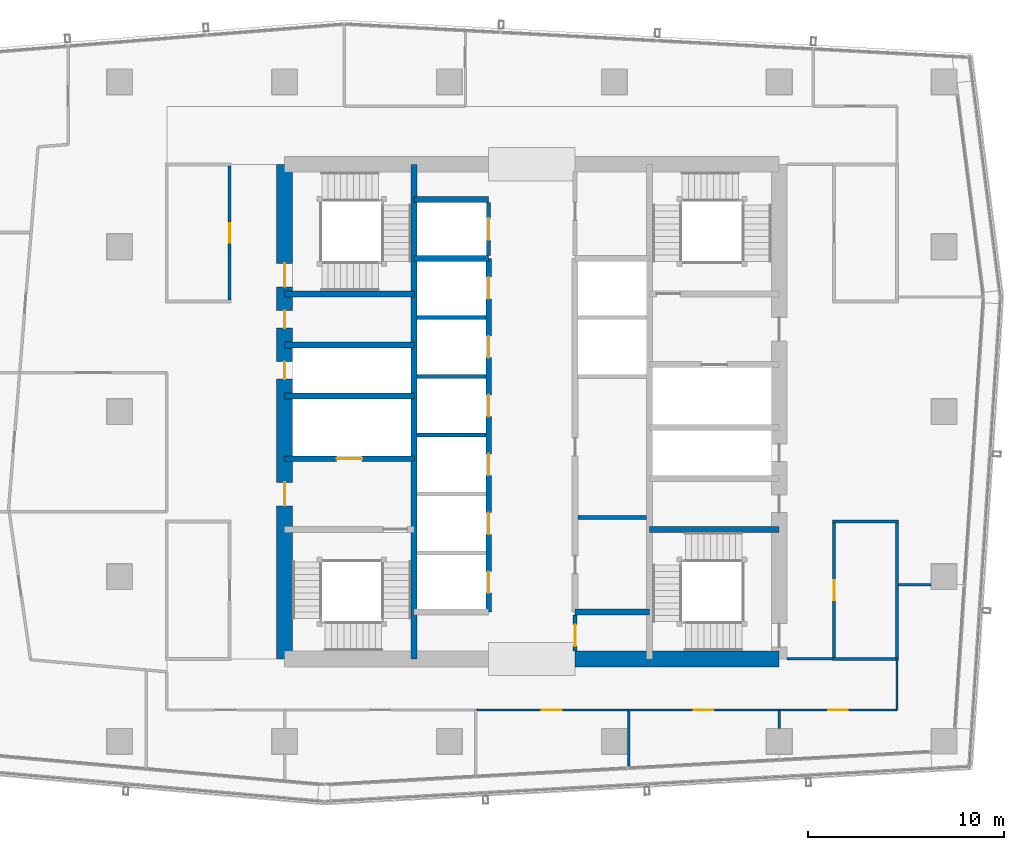
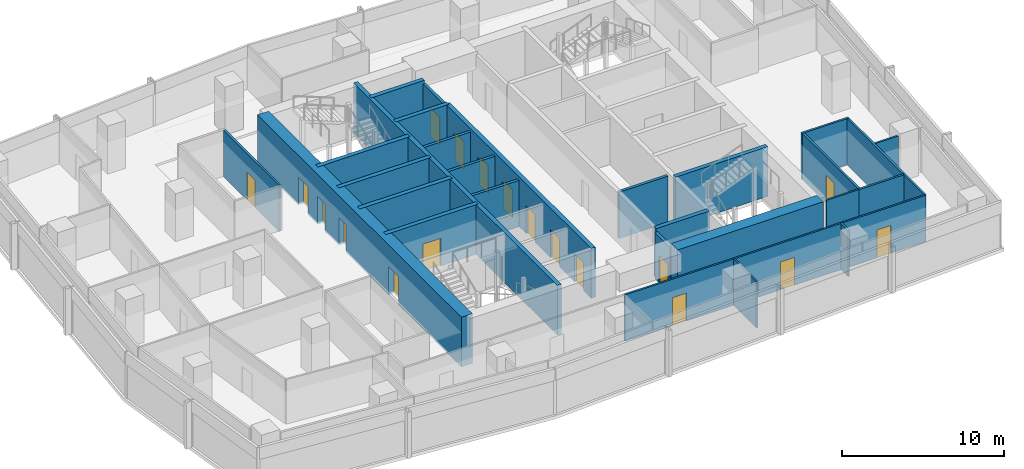
# One storey, part 23 of 30: 31 walls, 18 doors, 18 openings.
"""IFC4 building model written with IfcOpenShell, lengths in metres."""

from ifc_helpers import new_model, si_unit, direction, frame, frame_2d, origin, place, context, subcontext, project, spatial, rectangle, extrude, material, layer, layer_set, type_object, element, fill, save


model = new_model("IFC4")

# Units and contexts
model_context = context("Model", 3, precision=1e-05, world=origin(), true_north=direction((0.0, 1.0)))
body_context = subcontext(model_context, "Body", "Model", "MODEL_VIEW")
ifc_project = project(units=[si_unit("LENGTHUNIT", "METRE"), si_unit("AREAUNIT", "SQUARE_METRE"), si_unit("VOLUMEUNIT", "CUBIC_METRE"), si_unit("PLANEANGLEUNIT", "RADIAN"), si_unit("MASSUNIT", "GRAM", prefix="KILO")], contexts=[model_context])

# Site, building, storey
site_placement = place(None, origin())
site = spatial("IfcSite", under=ifc_project, at=site_placement, CompositionType="ELEMENT")
building_placement = place(site_placement, origin())
building = spatial("IfcBuilding", under=site, at=building_placement, Name="Rekha Terrace Tower", CompositionType="ELEMENT")
storey_placement = place(building_placement, frame((0.0, 0.0, 265.10009765625)))
storey = spatial("IfcBuildingStorey", under=building, at=storey_placement, Name="L67", CompositionType="ELEMENT", Elevation=265.10009765625)

# Wall
ifc_material_1 = material(Name="Concrete M60", Category="concrete")
ifc_layer_1 = layer(ifc_material_1, 0.300048828125)
ifc_layer_set_1 = layer_set([ifc_layer_1], Name="Concrete M60")
wall_type_1 = type_object("IfcWallType", Name="CI5 300 core internal shear wall", PredefinedType="SHEAR", material=ifc_layer_set_1)
wall_1_placement = place(storey_placement, frame((31.800048828125, 21.0, 0.0), z_axis=(0.0, 0.0, 1.0), x_axis=(0.0, 1.0, 0.0)))
element("IfcWall", 1, at=wall_1_placement, inside=storey, type_object=wall_type_1, Name="Core wall X318 L67", PredefinedType="SHEAR", context=body_context, shape_type="SweptSolid", body=[
    extrude(rectangle(XDim=25.199951171875, YDim=0.300048828125, at=frame_2d((12.60009765625, 0.0))), origin(), (0.0, 0.0, 1.0), 3.75),
])

# Wall, openings, doors
wall_2_placement = place(storey_placement, frame((35.60009765625, 23.39990234375, 0.0), z_axis=(0.0, 0.0, 1.0), x_axis=(0.0, 1.0, 0.0)))
wall_2 = element("IfcWall", 2, at=wall_2_placement, inside=storey, type_object=wall_type_1, Name="Core wall X356 L67", PredefinedType="SHEAR", context=body_context, shape_type="SweptSolid", body=[
    extrude(rectangle(XDim=18.0, YDim=0.300048828125, at=frame_2d((9.0, 0.0))), origin(), (0.0, 0.0, 1.0), 3.75),
])
opening_1_placement = place(wall_2_placement, frame((0.949951171875, 0.0, 0.0)))
opening_1 = element("IfcOpeningElement", 3, at=opening_1_placement, cuts=wall_2, Name="Opening LD1", PredefinedType="OPENING", context=body_context, shape_type="SweptSolid", body=[
    extrude(rectangle(XDim=1.10009765625, YDim=2.10009765625, at=frame_2d((0.550048828125, 1.050048828125))), frame((0.0, 0.159912109375, 0.0), z_axis=(0.0, -1.0, 0.0), x_axis=(1.0, 0.0, 0.0)), (0.0, 0.0, 1.0), 0.320068359375),
])
opening_2_placement = place(wall_2_placement, frame((3.949951171875, 0.0, 0.0)))
opening_2 = element("IfcOpeningElement", 4, at=opening_2_placement, cuts=wall_2, Name="Opening LD1", PredefinedType="OPENING", context=body_context, shape_type="SweptSolid", body=[
    extrude(rectangle(XDim=1.10009765625, YDim=2.10009765625, at=frame_2d((0.550048828125, 1.050048828125))), frame((0.0, 0.159912109375, 0.0), z_axis=(0.0, -1.0, 0.0), x_axis=(1.0, 0.0, 0.0)), (0.0, 0.0, 1.0), 0.320068359375),
])
opening_3_placement = place(wall_2_placement, frame((6.949951171875, 0.0, 0.0)))
opening_3 = element("IfcOpeningElement", 5, at=opening_3_placement, cuts=wall_2, Name="Opening LD1", PredefinedType="OPENING", context=body_context, shape_type="SweptSolid", body=[
    extrude(rectangle(XDim=1.10009765625, YDim=2.10009765625, at=frame_2d((0.550048828125, 1.050048828125))), frame((0.0, 0.159912109375, 0.0), z_axis=(0.0, -1.0, 0.0), x_axis=(1.0, 0.0, 0.0)), (0.0, 0.0, 1.0), 0.320068359375),
])
opening_4_placement = place(wall_2_placement, frame((9.949951171875, 0.0, 0.0)))
opening_4 = element("IfcOpeningElement", 6, at=opening_4_placement, cuts=wall_2, Name="Opening LD1", PredefinedType="OPENING", context=body_context, shape_type="SweptSolid", body=[
    extrude(rectangle(XDim=1.10009765625, YDim=2.10009765625, at=frame_2d((0.550048828125, 1.050048828125))), frame((0.0, 0.159912109375, 0.0), z_axis=(0.0, -1.0, 0.0), x_axis=(1.0, 0.0, 0.0)), (0.0, 0.0, 1.0), 0.320068359375),
])
opening_5_placement = place(wall_2_placement, frame((12.949951171875, 0.0, 0.0)))
opening_5 = element("IfcOpeningElement", 7, at=opening_5_placement, cuts=wall_2, Name="Opening LD1", PredefinedType="OPENING", context=body_context, shape_type="SweptSolid", body=[
    extrude(rectangle(XDim=1.10009765625, YDim=2.10009765625, at=frame_2d((0.550048828125, 1.050048828125))), frame((0.0, 0.159912109375, 0.0), z_axis=(0.0, -1.0, 0.0), x_axis=(1.0, 0.0, 0.0)), (0.0, 0.0, 1.0), 0.320068359375),
])
opening_6_placement = place(wall_2_placement, frame((15.949951171875, 0.0, 0.0)))
opening_6 = element("IfcOpeningElement", 8, at=opening_6_placement, cuts=wall_2, Name="Opening LD1", PredefinedType="OPENING", context=body_context, shape_type="SweptSolid", body=[
    extrude(rectangle(XDim=1.10009765625, YDim=2.10009765625, at=frame_2d((0.550048828125, 1.050048828125))), frame((0.0, 0.159912109375, 0.0), z_axis=(0.0, -1.0, 0.0), x_axis=(1.0, 0.0, 0.0)), (0.0, 0.0, 1.0), 0.320068359375),
])
ifc_material_2 = material(Name="Stainless steel sliding landing door", Category="steel")
door_type_1 = type_object("IfcDoorType", Name="LD1 1100x2100 lift landing door", OperationType="SLIDING_TO_LEFT", PredefinedType="USERDEFINED", material=ifc_material_2)
door_1_placement = place(opening_1_placement, origin())
door_1 = element("IfcDoor", 9, at=door_1_placement, inside=storey, type_object=door_type_1, Name="Lift D1 landing door L67", ObjectType="LIFT LANDING DOOR", OperationType="SLIDING_TO_LEFT", OverallHeight=2.10009765625, OverallWidth=1.10009765625, PredefinedType="USERDEFINED", context=body_context, shape_type="SweptSolid", body=[
    extrude(rectangle(XDim=1.10009765625, YDim=2.10009765625, at=frame_2d((0.550048828125, 1.050048828125))), frame((0.0, 0.02490234375, 0.0), z_axis=(0.0, -1.0, 0.0), x_axis=(1.0, 0.0, 0.0)), (0.0, 0.0, 1.0), 0.050048828125),
])
fill(opening_1, door_1)
door_2_placement = place(opening_2_placement, origin())
door_2 = element("IfcDoor", 10, at=door_2_placement, inside=storey, type_object=door_type_1, Name="Lift D2 landing door L67", ObjectType="LIFT LANDING DOOR", OperationType="SLIDING_TO_LEFT", OverallHeight=2.10009765625, OverallWidth=1.10009765625, PredefinedType="USERDEFINED", context=body_context, shape_type="SweptSolid", body=[
    extrude(rectangle(XDim=1.10009765625, YDim=2.10009765625, at=frame_2d((0.550048828125, 1.050048828125))), frame((0.0, 0.02490234375, 0.0), z_axis=(0.0, -1.0, 0.0), x_axis=(1.0, 0.0, 0.0)), (0.0, 0.0, 1.0), 0.050048828125),
])
fill(opening_2, door_2)
door_3_placement = place(opening_3_placement, origin())
door_3 = element("IfcDoor", 11, at=door_3_placement, inside=storey, type_object=door_type_1, Name="Lift D3 landing door L67", ObjectType="LIFT LANDING DOOR", OperationType="SLIDING_TO_LEFT", OverallHeight=2.10009765625, OverallWidth=1.10009765625, PredefinedType="USERDEFINED", context=body_context, shape_type="SweptSolid", body=[
    extrude(rectangle(XDim=1.10009765625, YDim=2.10009765625, at=frame_2d((0.550048828125, 1.050048828125))), frame((0.0, 0.02490234375, 0.0), z_axis=(0.0, -1.0, 0.0), x_axis=(1.0, 0.0, 0.0)), (0.0, 0.0, 1.0), 0.050048828125),
])
fill(opening_3, door_3)
door_4_placement = place(opening_4_placement, origin())
door_4 = element("IfcDoor", 12, at=door_4_placement, inside=storey, type_object=door_type_1, Name="Lift D4 landing door L67", ObjectType="LIFT LANDING DOOR", OperationType="SLIDING_TO_LEFT", OverallHeight=2.10009765625, OverallWidth=1.10009765625, PredefinedType="USERDEFINED", context=body_context, shape_type="SweptSolid", body=[
    extrude(rectangle(XDim=1.10009765625, YDim=2.10009765625, at=frame_2d((0.550048828125, 1.050048828125))), frame((0.0, 0.02490234375, 0.0), z_axis=(0.0, -1.0, 0.0), x_axis=(1.0, 0.0, 0.0)), (0.0, 0.0, 1.0), 0.050048828125),
])
fill(opening_4, door_4)
door_5_placement = place(opening_5_placement, origin())
door_5 = element("IfcDoor", 13, at=door_5_placement, inside=storey, type_object=door_type_1, Name="Lift D5 landing door L67", ObjectType="LIFT LANDING DOOR", OperationType="SLIDING_TO_LEFT", OverallHeight=2.10009765625, OverallWidth=1.10009765625, PredefinedType="USERDEFINED", context=body_context, shape_type="SweptSolid", body=[
    extrude(rectangle(XDim=1.10009765625, YDim=2.10009765625, at=frame_2d((0.550048828125, 1.050048828125))), frame((0.0, 0.02490234375, 0.0), z_axis=(0.0, -1.0, 0.0), x_axis=(1.0, 0.0, 0.0)), (0.0, 0.0, 1.0), 0.050048828125),
])
fill(opening_5, door_5)
door_6_placement = place(opening_6_placement, origin())
door_6 = element("IfcDoor", 14, at=door_6_placement, inside=storey, type_object=door_type_1, Name="Lift D6 landing door L67", ObjectType="LIFT LANDING DOOR", OperationType="SLIDING_TO_LEFT", OverallHeight=2.10009765625, OverallWidth=1.10009765625, PredefinedType="USERDEFINED", context=body_context, shape_type="SweptSolid", body=[
    extrude(rectangle(XDim=1.10009765625, YDim=2.10009765625, at=frame_2d((0.550048828125, 1.050048828125))), frame((0.0, 0.02490234375, 0.0), z_axis=(0.0, -1.0, 0.0), x_axis=(1.0, 0.0, 0.0)), (0.0, 0.0, 1.0), 0.050048828125),
])
fill(opening_6, door_6)

# Walls
for number, where, z_axis, x_axis, name in (
    (15, (31.800048828125, 41.39990234375, 0.0), (0.0, 0.0, 1.0), (1.0, 0.0, 0.0), "Core wall Y414W L67"),
    (16, (31.800048828125, 44.39990234375, 0.0), (0.0, 0.0, 1.0), (1.0, 0.0, 0.0), "Core wall Y444W L67"),
    (17, (40.0, 23.39990234375, 0.0), (0.0, 0.0, 1.0), (1.0, 0.0, 0.0), "Core wall Y234E L67"),
):
    element("IfcWall", number, at=place(storey_placement, frame(where, z_axis=z_axis, x_axis=x_axis)), inside=storey, type_object=wall_type_1, Name=name, PredefinedType="SHEAR", context=body_context, shape_type="SweptSolid", body=[
        extrude(rectangle(XDim=3.800048828125, YDim=0.300048828125, at=frame_2d((1.89990234375, 0.0))), origin(), (0.0, 0.0, 1.0), 3.75),
    ])

# Wall, opening, door
wall_3_placement = place(storey_placement, frame((25.199951171875, 31.199951171875, 0.0), z_axis=(0.0, 0.0, 1.0), x_axis=(1.0, 0.0, 0.0)))
wall_3 = element("IfcWall", 18, at=wall_3_placement, inside=storey, type_object=wall_type_1, Name="Core wall Y312W L67", PredefinedType="SHEAR", context=body_context, shape_type="SweptSolid", body=[
    extrude(rectangle(XDim=6.60009765625, YDim=0.300048828125, at=frame_2d((3.300048828125, 0.0))), origin(), (0.0, 0.0, 1.0), 3.75),
])
opening_7_placement = place(wall_3_placement, frame((2.64990234375, 0.0, 0.0)))
opening_7 = element("IfcOpeningElement", 19, at=opening_7_placement, cuts=wall_3, Name="Opening LD2", PredefinedType="OPENING", context=body_context, shape_type="SweptSolid", body=[
    extrude(rectangle(XDim=1.300048828125, YDim=2.10009765625, at=frame_2d((0.64990234375, 1.050048828125))), frame((0.0, 0.159912109375, 0.0), z_axis=(0.0, -1.0, 0.0), x_axis=(1.0, 0.0, 0.0)), (0.0, 0.0, 1.0), 0.320068359375),
])
door_type_2 = type_object("IfcDoorType", Name="LD2 1300x2100 fire lift landing door", OperationType="SLIDING_TO_LEFT", PredefinedType="USERDEFINED", material=ifc_material_2)
door_7_placement = place(opening_7_placement, origin())
door_7 = element("IfcDoor", 20, at=door_7_placement, inside=storey, type_object=door_type_2, Name="Lift FL1 landing door L67", ObjectType="LIFT LANDING DOOR", OperationType="SLIDING_TO_LEFT", OverallHeight=2.10009765625, OverallWidth=1.300048828125, PredefinedType="USERDEFINED", context=body_context, shape_type="SweptSolid", body=[
    extrude(rectangle(XDim=1.300048828125, YDim=2.10009765625, at=frame_2d((0.64990234375, 1.050048828125))), frame((0.0, 0.02490234375, 0.0), z_axis=(0.0, -1.0, 0.0), x_axis=(1.0, 0.0, 0.0)), (0.0, 0.0, 1.0), 0.050048828125),
])
fill(opening_7, door_7)

# Walls
for number, where, z_axis, x_axis, name in (
    (21, (25.199951171875, 34.39990234375, 0.0), (0.0, 0.0, 1.0), (1.0, 0.0, 0.0), "Core wall Y344W L67"),
    (22, (25.199951171875, 37.0, 0.0), (0.0, 0.0, 1.0), (1.0, 0.0, 0.0), "Core wall Y370W L67"),
    (23, (25.199951171875, 39.60009765625, 0.0), (0.0, 0.0, 1.0), (1.0, 0.0, 0.0), "Core wall Y396W L67"),
):
    element("IfcWall", number, at=place(storey_placement, frame(where, z_axis=z_axis, x_axis=x_axis)), inside=storey, type_object=wall_type_1, Name=name, PredefinedType="SHEAR", context=body_context, shape_type="SweptSolid", body=[
        extrude(rectangle(XDim=6.60009765625, YDim=0.300048828125, at=frame_2d((3.300048828125, 0.0))), origin(), (0.0, 0.0, 1.0), 3.75),
    ])
wall_4_placement = place(storey_placement, frame((43.800048828125, 27.60009765625, 0.0), z_axis=(0.0, 0.0, 1.0), x_axis=(1.0, 0.0, 0.0)))
element("IfcWall", 24, at=wall_4_placement, inside=storey, type_object=wall_type_1, Name="Core wall Y276E L67", PredefinedType="SHEAR", context=body_context, shape_type="SweptSolid", body=[
    extrude(rectangle(XDim=6.599853515625, YDim=0.300048828125, at=frame_2d((3.2998046875, 0.0))), origin(), (0.0, 0.0, 1.0), 3.75),
])
ifc_layer_2 = layer(ifc_material_1, 0.800048828125)
ifc_layer_set_2 = layer_set([ifc_layer_2], Name="Concrete M60")
wall_type_2 = type_object("IfcWallType", Name="SW5 800 core outer shear wall", PredefinedType="SHEAR", material=ifc_layer_set_2)
wall_5_placement = place(storey_placement, frame((40.0, 21.0, 0.0), z_axis=(0.0, 0.0, 1.0), x_axis=(1.0, 0.0, 0.0)))
element("IfcWall", 25, at=wall_5_placement, inside=storey, type_object=wall_type_2, Name="Core wall S2 L67", PredefinedType="SHEAR", context=body_context, shape_type="SweptSolid", body=[
    extrude(rectangle(XDim=10.39990234375, YDim=0.800048828125, at=frame_2d((5.199951171875, 0.0))), origin(), (0.0, 0.0, 1.0), 3.75),
])

# Wall, openings, doors
wall_6_placement = place(storey_placement, frame((25.199951171875, 21.0, 0.0), z_axis=(0.0, 0.0, 1.0), x_axis=(0.0, 1.0, 0.0)))
wall_6 = element("IfcWall", 26, at=wall_6_placement, inside=storey, type_object=wall_type_2, Name="Core wall W L67", PredefinedType="SHEAR", context=body_context, shape_type="SweptSolid", body=[
    extrude(rectangle(XDim=25.199951171875, YDim=0.800048828125, at=frame_2d((12.60009765625, 0.0))), origin(), (0.0, 0.0, 1.0), 3.75),
])
opening_8_placement = place(wall_6_placement, frame((7.800048828125, 0.0, 0.0)))
opening_8 = element("IfcOpeningElement", 27, at=opening_8_placement, cuts=wall_6, Name="Opening D2", PredefinedType="OPENING", context=body_context, shape_type="SweptSolid", body=[
    extrude(rectangle(XDim=1.199951171875, YDim=2.10009765625, at=frame_2d((0.60009765625, 1.050048828125))), frame((0.0, 0.409912109375, 0.0), z_axis=(0.0, -1.0, 0.0), x_axis=(1.0, 0.0, 0.0)), (0.0, 0.0, 1.0), 0.820068359375),
])
opening_9_placement = place(wall_6_placement, frame((14.25, 0.0, 0.0)))
opening_9 = element("IfcOpeningElement", 28, at=opening_9_placement, cuts=wall_6, Name="Opening D5", PredefinedType="OPENING", context=body_context, shape_type="SweptSolid", body=[
    extrude(rectangle(XDim=0.89990234375, YDim=2.10009765625, at=frame_2d((0.449951171875, 1.050048828125))), frame((0.0, 0.409912109375, 0.0), z_axis=(0.0, -1.0, 0.0), x_axis=(1.0, 0.0, 0.0)), (0.0, 0.0, 1.0), 0.820068359375),
])
opening_10_placement = place(wall_6_placement, frame((16.85009765625, 0.0, 0.0)))
opening_10 = element("IfcOpeningElement", 29, at=opening_10_placement, cuts=wall_6, Name="Opening D5", PredefinedType="OPENING", context=body_context, shape_type="SweptSolid", body=[
    extrude(rectangle(XDim=0.89990234375, YDim=2.10009765625, at=frame_2d((0.449951171875, 1.050048828125))), frame((0.0, 0.409912109375, 0.0), z_axis=(0.0, -1.0, 0.0), x_axis=(1.0, 0.0, 0.0)), (0.0, 0.0, 1.0), 0.820068359375),
])
opening_11_placement = place(wall_6_placement, frame((18.949951171875, 0.0, 0.0)))
opening_11 = element("IfcOpeningElement", 30, at=opening_11_placement, cuts=wall_6, Name="Opening D1", PredefinedType="OPENING", context=body_context, shape_type="SweptSolid", body=[
    extrude(rectangle(XDim=1.199951171875, YDim=2.10009765625, at=frame_2d((0.60009765625, 1.050048828125))), frame((0.0, 0.409912109375, 0.0), z_axis=(0.0, -1.0, 0.0), x_axis=(1.0, 0.0, 0.0)), (0.0, 0.0, 1.0), 0.820068359375),
])
ifc_material_3 = material(Name="Steel fire door", Category="steel")
door_type_3 = type_object("IfcDoorType", Name="D1 1200x2100 stair fire door", OperationType="SINGLE_SWING_RIGHT", PredefinedType="DOOR", material=ifc_material_3)
door_8_placement = place(opening_11_placement, origin())
door_8 = element("IfcDoor", 31, at=door_8_placement, inside=storey, type_object=door_type_3, Name="Stair ST4 door L67", OperationType="SINGLE_SWING_RIGHT", OverallHeight=2.10009765625, OverallWidth=1.199951171875, PredefinedType="DOOR", context=body_context, shape_type="SweptSolid", body=[
    extrude(rectangle(XDim=1.199951171875, YDim=2.10009765625, at=frame_2d((0.60009765625, 1.050048828125))), frame((0.0, 0.02490234375, 0.0), z_axis=(0.0, -1.0, 0.0), x_axis=(1.0, 0.0, 0.0)), (0.0, 0.0, 1.0), 0.050048828125),
])
fill(opening_11, door_8)
door_type_4 = type_object("IfcDoorType", Name="D2 1200x2100 firefighting lobby door", OperationType="SINGLE_SWING_LEFT", PredefinedType="DOOR", material=ifc_material_3)
door_9_placement = place(opening_8_placement, origin())
door_9 = element("IfcDoor", 32, at=door_9_placement, inside=storey, type_object=door_type_4, Name="Door flb1 L67", OperationType="SINGLE_SWING_LEFT", OverallHeight=2.10009765625, OverallWidth=1.199951171875, PredefinedType="DOOR", context=body_context, shape_type="SweptSolid", body=[
    extrude(rectangle(XDim=1.199951171875, YDim=2.10009765625, at=frame_2d((0.60009765625, 1.050048828125))), frame((0.0, 0.02490234375, 0.0), z_axis=(0.0, -1.0, 0.0), x_axis=(1.0, 0.0, 0.0)), (0.0, 0.0, 1.0), 0.050048828125),
])
fill(opening_8, door_9)
door_type_5 = type_object("IfcDoorType", Name="D5 900x2100 riser access door", OperationType="SINGLE_SWING_LEFT", PredefinedType="DOOR", material=ifc_material_3)
door_10_placement = place(opening_9_placement, origin())
door_10 = element("IfcDoor", 33, at=door_10_placement, inside=storey, type_object=door_type_5, Name="Door rs1 L67", OperationType="SINGLE_SWING_LEFT", OverallHeight=2.10009765625, OverallWidth=0.89990234375, PredefinedType="DOOR", context=body_context, shape_type="SweptSolid", body=[
    extrude(rectangle(XDim=0.89990234375, YDim=2.10009765625, at=frame_2d((0.449951171875, 1.050048828125))), frame((0.0, 0.02490234375, 0.0), z_axis=(0.0, -1.0, 0.0), x_axis=(1.0, 0.0, 0.0)), (0.0, 0.0, 1.0), 0.050048828125),
])
fill(opening_9, door_10)
door_11_placement = place(opening_10_placement, origin())
door_11 = element("IfcDoor", 34, at=door_11_placement, inside=storey, type_object=door_type_5, Name="Door elw L67", OperationType="SINGLE_SWING_LEFT", OverallHeight=2.10009765625, OverallWidth=0.89990234375, PredefinedType="DOOR", context=body_context, shape_type="SweptSolid", body=[
    extrude(rectangle(XDim=0.89990234375, YDim=2.10009765625, at=frame_2d((0.449951171875, 1.050048828125))), frame((0.0, 0.02490234375, 0.0), z_axis=(0.0, -1.0, 0.0), x_axis=(1.0, 0.0, 0.0)), (0.0, 0.0, 1.0), 0.050048828125),
])
fill(opening_10, door_11)

# Wall, opening, door
ifc_material_4 = material(Name="Concrete block masonry, 1 hour", Category="masonry")
ifc_layer_3 = layer(ifc_material_4, 0.14990234375)
ifc_layer_set_3 = layer_set([ifc_layer_3], Name="Concrete block masonry, 1 hour")
wall_type_3 = type_object("IfcWallType", Name="WP2 150 tenancy partition", PredefinedType="PARTITIONING", material=ifc_layer_set_3)
wall_7_placement = place(storey_placement, frame((22.39990234375, 39.27490234375, 0.0), z_axis=(0.0, 0.0, 1.0), x_axis=(0.0, 1.0, 0.0)))
wall_7 = element("IfcWall", 35, at=wall_7_placement, inside=storey, type_object=wall_type_3, Name="Women's WC wall L67", PredefinedType="PARTITIONING", context=body_context, shape_type="SweptSolid", body=[
    extrude(rectangle(XDim=6.85009765625, YDim=0.14990234375, at=frame_2d((3.425048828125, 0.0))), origin(), (0.0, 0.0, 1.0), 3.5),
])
opening_12_placement = place(wall_7_placement, frame((2.925048828125, 0.0, 0.0)))
opening_12 = element("IfcOpeningElement", 36, at=opening_12_placement, cuts=wall_7, Name="Opening D3", PredefinedType="OPENING", context=body_context, shape_type="SweptSolid", body=[
    extrude(rectangle(XDim=1.0, YDim=2.10009765625, at=frame_2d((0.5, 1.050048828125))), frame((0.0, 0.0849609375, 0.0), z_axis=(0.0, -1.0, 0.0), x_axis=(1.0, 0.0, 0.0)), (0.0, 0.0, 1.0), 0.169921875),
])
ifc_material_5 = material(Name="Laminated timber fire door", Category="wood")
door_type_6 = type_object("IfcDoorType", Name="D3 1000x2100 WC door", OperationType="SINGLE_SWING_LEFT", PredefinedType="DOOR", material=ifc_material_5)
door_12_placement = place(opening_12_placement, origin())
door_12 = element("IfcDoor", 37, at=door_12_placement, inside=storey, type_object=door_type_6, Name="Door women's wc L67", OperationType="SINGLE_SWING_LEFT", OverallHeight=2.10009765625, OverallWidth=1.0, PredefinedType="DOOR", context=body_context, shape_type="SweptSolid", body=[
    extrude(rectangle(XDim=1.0, YDim=2.10009765625, at=frame_2d((0.5, 1.050048828125))), frame((0.0, 0.02490234375, 0.0), z_axis=(0.0, -1.0, 0.0), x_axis=(1.0, 0.0, 0.0)), (0.0, 0.0, 1.0), 0.050048828125),
])
fill(opening_12, door_12)

# Walls
for number, where, z_axis, x_axis, name in (
    (38, (53.125, 21.0, 0.0), (0.0, 0.0, 1.0), (1.0, 0.0, 0.0), "Men's WC wall L67"),
    (39, (53.125, 28.0, 0.0), (0.0, 0.0, 1.0), (1.0, 0.0, 0.0), "Men's WC wall L67"),
):
    element("IfcWall", number, at=place(storey_placement, frame(where, z_axis=z_axis, x_axis=x_axis)), inside=storey, type_object=wall_type_3, Name=name, PredefinedType="PARTITIONING", context=body_context, shape_type="SweptSolid", body=[
        extrude(rectangle(XDim=3.35009765625, YDim=0.14990234375, at=frame_2d((1.675048828125, 0.0))), origin(), (0.0, 0.0, 1.0), 3.5),
    ])

# Wall, opening, door
wall_8_placement = place(storey_placement, frame((53.199951171875, 21.074951171875, 0.0), z_axis=(0.0, 0.0, 1.0), x_axis=(0.0, 1.0, 0.0)))
wall_8 = element("IfcWall", 40, at=wall_8_placement, inside=storey, type_object=wall_type_3, Name="Men's WC wall L67", PredefinedType="PARTITIONING", context=body_context, shape_type="SweptSolid", body=[
    extrude(rectangle(XDim=6.85009765625, YDim=0.14990234375, at=frame_2d((3.425048828125, 0.0))), origin(), (0.0, 0.0, 1.0), 3.5),
])
opening_13_placement = place(wall_8_placement, frame((2.925048828125, 0.0, 0.0)))
opening_13 = element("IfcOpeningElement", 41, at=opening_13_placement, cuts=wall_8, Name="Opening D3", PredefinedType="OPENING", context=body_context, shape_type="SweptSolid", body=[
    extrude(rectangle(XDim=1.0, YDim=2.10009765625, at=frame_2d((0.5, 1.050048828125))), frame((0.0, 0.0849609375, 0.0), z_axis=(0.0, -1.0, 0.0), x_axis=(1.0, 0.0, 0.0)), (0.0, 0.0, 1.0), 0.169921875),
])
door_13_placement = place(opening_13_placement, origin())
door_13 = element("IfcDoor", 42, at=door_13_placement, inside=storey, type_object=door_type_6, Name="Door men's wc L67", OperationType="SINGLE_SWING_LEFT", OverallHeight=2.10009765625, OverallWidth=1.0, PredefinedType="DOOR", context=body_context, shape_type="SweptSolid", body=[
    extrude(rectangle(XDim=1.0, YDim=2.10009765625, at=frame_2d((0.5, 1.050048828125))), frame((0.0, 0.02490234375, 0.0), z_axis=(0.0, -1.0, 0.0), x_axis=(1.0, 0.0, 0.0)), (0.0, 0.0, 1.0), 0.050048828125),
])
fill(opening_13, door_13)

# Walls
wall_9_placement = place(storey_placement, frame((56.39990234375, 21.074951171875, 0.0), z_axis=(0.0, 0.0, 1.0), x_axis=(0.0, 1.0, 0.0)))
element("IfcWall", 43, at=wall_9_placement, inside=storey, type_object=wall_type_3, Name="Men's WC wall L67", PredefinedType="PARTITIONING", context=body_context, shape_type="SweptSolid", body=[
    extrude(rectangle(XDim=6.85009765625, YDim=0.14990234375, at=frame_2d((3.425048828125, 0.0))), origin(), (0.0, 0.0, 1.0), 3.5),
])
ifc_material_6 = material(Name="Two layers of fire-rated gypsum board each side on steel studs, acoustic quilt, 1 hour", Category="steel")
ifc_layer_4 = layer(ifc_material_6, 0.125)
ifc_layer_set_4 = layer_set([ifc_layer_4], Name="Two layers of fire-rated gypsum board each side on steel studs, acoustic quilt, 1 hour")
wall_type_4 = type_object("IfcWallType", Name="WP3 125 office partition", PredefinedType="PARTITIONING", material=ifc_layer_set_4)
wall_10_placement = place(storey_placement, frame((53.1240234375, 21.0, 0.0), z_axis=(0.0, 0.0, 1.0), x_axis=(-1.0, 0.0, 0.0)))
element("IfcWall", 44, at=wall_10_placement, inside=storey, type_object=wall_type_4, Name="Partition L67-02", PredefinedType="PARTITIONING", context=body_context, shape_type="SweptSolid", body=[
    extrude(rectangle(XDim=2.323974609375, YDim=0.125, at=frame_2d((1.162109375, 0.0))), origin(), (0.0, 0.0, 1.0), 3.5),
])

# Wall, opening, door
wall_11_placement = place(storey_placement, frame((34.947998046875, 18.39990234375, 0.0), z_axis=(0.0, 0.0, 1.0), x_axis=(1.0, 0.0, 0.0)))
wall_11 = element("IfcWall", 45, at=wall_11_placement, inside=storey, type_object=wall_type_4, Name="Partition L67-07", PredefinedType="PARTITIONING", context=body_context, shape_type="SweptSolid", body=[
    extrude(rectangle(XDim=7.72509765625, YDim=0.125, at=frame_2d((3.862548828125, 0.0))), origin(), (0.0, 0.0, 1.0), 3.5),
])
opening_14_placement = place(wall_11_placement, frame((3.363037109375, 0.0, 0.0)))
opening_14 = element("IfcOpeningElement", 46, at=opening_14_placement, cuts=wall_11, Name="Opening D9", PredefinedType="OPENING", context=body_context, shape_type="SweptSolid", body=[
    extrude(rectangle(XDim=1.0, YDim=2.10009765625, at=frame_2d((0.5, 1.050048828125))), frame((0.0, 0.072509765625, 0.0), z_axis=(0.0, -1.0, 0.0), x_axis=(1.0, 0.0, 0.0)), (0.0, 0.0, 1.0), 0.14501953125),
])
ifc_material_7 = material(Name="Timber fire door", Category="wood")
door_type_7 = type_object("IfcDoorType", Name="D9 1000x2100 office door", OperationType="SINGLE_SWING_LEFT", PredefinedType="DOOR", material=ifc_material_7)
door_14_placement = place(opening_14_placement, origin())
door_14 = element("IfcDoor", 47, at=door_14_placement, inside=storey, type_object=door_type_7, Name="Door quiet room L67", OperationType="SINGLE_SWING_LEFT", OverallHeight=2.10009765625, OverallWidth=1.0, PredefinedType="DOOR", context=body_context, shape_type="SweptSolid", body=[
    extrude(rectangle(XDim=1.0, YDim=2.10009765625, at=frame_2d((0.5, 1.050048828125))), frame((0.0, 0.02490234375, 0.0), z_axis=(0.0, -1.0, 0.0), x_axis=(1.0, 0.0, 0.0)), (0.0, 0.0, 1.0), 0.050048828125),
])
fill(opening_14, door_14)

# Wall
wall_12_placement = place(storey_placement, frame((42.741943359375, 18.3369140625, 0.0), z_axis=(0.0, 0.0, 1.0), x_axis=(0.0, -1.0, 0.0)))
element("IfcWall", 48, at=wall_12_placement, inside=storey, type_object=wall_type_4, Name="Partition L67-07", PredefinedType="PARTITIONING", context=body_context, shape_type="SweptSolid", body=[
    extrude(rectangle(XDim=2.798828125, YDim=0.125, at=frame_2d((1.3994140625, 0.0))), origin(), (0.0, 0.0, 1.0), 3.5),
])

# Wall, opening, door
wall_13_placement = place(storey_placement, frame((42.674072265625, 18.39990234375, 0.0), z_axis=(0.0, 0.0, 1.0), x_axis=(1.0, 0.0, 0.0)))
wall_13 = element("IfcWall", 49, at=wall_13_placement, inside=storey, type_object=wall_type_4, Name="Partition L67-08", PredefinedType="PARTITIONING", context=body_context, shape_type="SweptSolid", body=[
    extrude(rectangle(XDim=7.725830078125, YDim=0.125, at=frame_2d((3.86279296875, 0.0))), origin(), (0.0, 0.0, 1.0), 3.5),
])
opening_15_placement = place(wall_13_placement, frame((3.363037109375, 0.0, 0.0)))
opening_15 = element("IfcOpeningElement", 50, at=opening_15_placement, cuts=wall_13, Name="Opening D9", PredefinedType="OPENING", context=body_context, shape_type="SweptSolid", body=[
    extrude(rectangle(XDim=1.0, YDim=2.10009765625, at=frame_2d((0.5, 1.050048828125))), frame((0.0, 0.072509765625, 0.0), z_axis=(0.0, -1.0, 0.0), x_axis=(1.0, 0.0, 0.0)), (0.0, 0.0, 1.0), 0.14501953125),
])
door_15_placement = place(opening_15_placement, origin())
door_15 = element("IfcDoor", 51, at=door_15_placement, inside=storey, type_object=door_type_7, Name="Door wellness room L67", OperationType="SINGLE_SWING_LEFT", OverallHeight=2.10009765625, OverallWidth=1.0, PredefinedType="DOOR", context=body_context, shape_type="SweptSolid", body=[
    extrude(rectangle(XDim=1.0, YDim=2.10009765625, at=frame_2d((0.5, 1.050048828125))), frame((0.0, 0.02490234375, 0.0), z_axis=(0.0, -1.0, 0.0), x_axis=(1.0, 0.0, 0.0)), (0.0, 0.0, 1.0), 0.050048828125),
])
fill(opening_15, door_15)

# Walls
wall_14_placement = place(storey_placement, frame((50.39990234375, 18.39990234375, 0.0), z_axis=(0.0, 0.0, 1.0), x_axis=(0.0, -1.0, 0.0)))
element("IfcWall", 52, at=wall_14_placement, inside=storey, type_object=wall_type_4, Name="Partition L67-08", PredefinedType="PARTITIONING", context=body_context, shape_type="SweptSolid", body=[
    extrude(rectangle(XDim=0.929931640625, YDim=0.125, at=frame_2d((0.46484375, 0.0))), origin(), (0.0, 0.0, 1.0), 3.5),
])
wall_15_placement = place(storey_placement, frame((56.47509765625, 24.785888671875, 0.0), z_axis=(0.0, 0.0, 1.0), x_axis=(1.0, 0.0, 0.0)))
element("IfcWall", 53, at=wall_15_placement, inside=storey, type_object=wall_type_4, Name="Partition L67-09", PredefinedType="PARTITIONING", context=body_context, shape_type="SweptSolid", body=[
    extrude(rectangle(XDim=1.65478515625, YDim=0.125, at=frame_2d((0.827392578125, 0.0))), origin(), (0.0, 0.0, 1.0), 3.5),
])

# Wall, opening, door
wall_16_placement = place(storey_placement, frame((50.40087890625, 18.39990234375, 0.0), z_axis=(0.0, 0.0, 1.0), x_axis=(1.0, 0.0, 0.0)))
wall_16 = element("IfcWall", 54, at=wall_16_placement, inside=storey, type_object=wall_type_4, Name="Partition L67-09", PredefinedType="PARTITIONING", context=body_context, shape_type="SweptSolid", body=[
    extrude(rectangle(XDim=5.9990234375, YDim=0.125, at=frame_2d((2.99951171875, 0.0))), origin(), (0.0, 0.0, 1.0), 3.5),
])
opening_16_placement = place(wall_16_placement, frame((2.4990234375, 0.0, 0.0)))
opening_16 = element("IfcOpeningElement", 55, at=opening_16_placement, cuts=wall_16, Name="Opening D9", PredefinedType="OPENING", context=body_context, shape_type="SweptSolid", body=[
    extrude(rectangle(XDim=1.0, YDim=2.10009765625, at=frame_2d((0.5, 1.050048828125))), frame((0.0, 0.072509765625, 0.0), z_axis=(0.0, -1.0, 0.0), x_axis=(1.0, 0.0, 0.0)), (0.0, 0.0, 1.0), 0.14501953125),
])
door_16_placement = place(opening_16_placement, origin())
door_16 = element("IfcDoor", 56, at=door_16_placement, inside=storey, type_object=door_type_7, Name="Door director's office L67", OperationType="SINGLE_SWING_LEFT", OverallHeight=2.10009765625, OverallWidth=1.0, PredefinedType="DOOR", context=body_context, shape_type="SweptSolid", body=[
    extrude(rectangle(XDim=1.0, YDim=2.10009765625, at=frame_2d((0.5, 1.050048828125))), frame((0.0, 0.02490234375, 0.0), z_axis=(0.0, -1.0, 0.0), x_axis=(1.0, 0.0, 0.0)), (0.0, 0.0, 1.0), 0.050048828125),
])
fill(opening_16, door_16)

# Walls
wall_17_placement = place(storey_placement, frame((56.39990234375, 18.39990234375, 0.0), z_axis=(0.0, 0.0, 1.0), x_axis=(0.0, 1.0, 0.0)))
element("IfcWall", 57, at=wall_17_placement, inside=storey, type_object=wall_type_4, Name="Partition L67-09", PredefinedType="PARTITIONING", context=body_context, shape_type="SweptSolid", body=[
    extrude(rectangle(XDim=2.675048828125, YDim=0.125, at=frame_2d((1.33740234375, 0.0))), origin(), (0.0, 0.0, 1.0), 3.5),
])
ifc_material_8 = material(Name="Solid concrete block masonry, 2 hour", Category="masonry")
ifc_layer_5 = layer(ifc_material_8, 0.199951171875)
ifc_layer_set_5 = layer_set([ifc_layer_5], Name="Solid concrete block masonry, 2 hour")
wall_type_5 = type_object("IfcWallType", Name="WS1 200 stair and shaft enclosure", PredefinedType="PARTITIONING", material=ifc_layer_set_5)
for number, where, z_axis, x_axis, name in (
    (58, (31.949951171875, 32.39990234375, 0.0), (0.0, 0.0, 1.0), (1.0, 0.0, 0.0), "Lift shaft divider L67"),
    (59, (31.949951171875, 35.39990234375, 0.0), (0.0, 0.0, 1.0), (1.0, 0.0, 0.0), "Lift shaft divider L67"),
    (60, (31.949951171875, 38.39990234375, 0.0), (0.0, 0.0, 1.0), (1.0, 0.0, 0.0), "Lift shaft divider L67"),
):
    element("IfcWall", number, at=place(storey_placement, frame(where, z_axis=z_axis, x_axis=x_axis)), inside=storey, type_object=wall_type_5, Name=name, PredefinedType="PARTITIONING", context=body_context, shape_type="SweptSolid", body=[
        extrude(rectangle(XDim=3.5, YDim=0.199951171875, at=frame_2d((1.75, 0.0))), origin(), (0.0, 0.0, 1.0), 3.5),
    ])

# Wall, opening, door
wall_18_placement = place(storey_placement, frame((40.0, 21.39990234375, 0.0), z_axis=(0.0, 0.0, 1.0), x_axis=(0.0, 1.0, 0.0)))
wall_18 = element("IfcWall", 61, at=wall_18_placement, inside=storey, type_object=wall_type_5, Name="Core partition wca L67", PredefinedType="PARTITIONING", context=body_context, shape_type="SweptSolid", body=[
    extrude(rectangle(XDim=1.85009765625, YDim=0.199951171875, at=frame_2d((0.925048828125, 0.0))), origin(), (0.0, 0.0, 1.0), 3.5),
])
opening_17_placement = place(wall_18_placement, frame((0.25, 0.0, 0.0)))
opening_17 = element("IfcOpeningElement", 62, at=opening_17_placement, cuts=wall_18, Name="Opening D4", PredefinedType="OPENING", context=body_context, shape_type="SweptSolid", body=[
    extrude(rectangle(XDim=1.10009765625, YDim=2.10009765625, at=frame_2d((0.550048828125, 1.050048828125))), frame((0.0, 0.10986328125, 0.0), z_axis=(0.0, -1.0, 0.0), x_axis=(1.0, 0.0, 0.0)), (0.0, 0.0, 1.0), 0.219970703125),
])
door_type_8 = type_object("IfcDoorType", Name="D4 1100x2100 accessible WC door", OperationType="SLIDING_TO_LEFT", PredefinedType="DOOR", material=ifc_material_5)
door_17_placement = place(opening_17_placement, origin())
door_17 = element("IfcDoor", 63, at=door_17_placement, inside=storey, type_object=door_type_8, Name="Door wca L67", OperationType="SLIDING_TO_LEFT", OverallHeight=2.10009765625, OverallWidth=1.10009765625, PredefinedType="DOOR", context=body_context, shape_type="SweptSolid", body=[
    extrude(rectangle(XDim=1.10009765625, YDim=2.10009765625, at=frame_2d((0.550048828125, 1.050048828125))), frame((0.0, 0.02490234375, 0.0), z_axis=(0.0, -1.0, 0.0), x_axis=(1.0, 0.0, 0.0)), (0.0, 0.0, 1.0), 0.050048828125),
])
fill(opening_17, door_17)

wall_19_placement = place(storey_placement, frame((35.60009765625, 41.550048828125, 0.0), z_axis=(0.0, 0.0, 1.0), x_axis=(0.0, 1.0, 0.0)))
wall_19 = element("IfcWall", 64, at=wall_19_placement, inside=storey, type_object=wall_type_5, Name="Core partition jansv L67", PredefinedType="PARTITIONING", context=body_context, shape_type="SweptSolid", body=[
    extrude(rectangle(XDim=2.699951171875, YDim=0.199951171875, at=frame_2d((1.35009765625, 0.0))), origin(), (0.0, 0.0, 1.0), 3.5),
])
opening_18_placement = place(wall_19_placement, frame((0.800048828125, 0.0, 0.0)))
opening_18 = element("IfcOpeningElement", 65, at=opening_18_placement, cuts=wall_19, Name="Opening LD1", PredefinedType="OPENING", context=body_context, shape_type="SweptSolid", body=[
    extrude(rectangle(XDim=1.10009765625, YDim=2.10009765625, at=frame_2d((0.550048828125, 1.050048828125))), frame((0.0, 0.10986328125, 0.0), z_axis=(0.0, -1.0, 0.0), x_axis=(1.0, 0.0, 0.0)), (0.0, 0.0, 1.0), 0.219970703125),
])
door_18_placement = place(opening_18_placement, origin())
door_18 = element("IfcDoor", 66, at=door_18_placement, inside=storey, type_object=door_type_1, Name="Lift SV1 landing door L67", ObjectType="LIFT LANDING DOOR", OperationType="SLIDING_TO_LEFT", OverallHeight=2.10009765625, OverallWidth=1.10009765625, PredefinedType="USERDEFINED", context=body_context, shape_type="SweptSolid", body=[
    extrude(rectangle(XDim=1.10009765625, YDim=2.10009765625, at=frame_2d((0.550048828125, 1.050048828125))), frame((0.0, 0.02490234375, 0.0), z_axis=(0.0, -1.0, 0.0), x_axis=(1.0, 0.0, 0.0)), (0.0, 0.0, 1.0), 0.050048828125),
])
fill(opening_18, door_18)

# Wall
wall_20_placement = place(storey_placement, frame((40.14990234375, 28.199951171875, 0.0), z_axis=(0.0, 0.0, 1.0), x_axis=(1.0, 0.0, 0.0)))
element("IfcWall", 67, at=wall_20_placement, inside=storey, type_object=wall_type_5, Name="Core partition freed shafts L67", PredefinedType="PARTITIONING", context=body_context, shape_type="SweptSolid", body=[
    extrude(rectangle(XDim=3.5, YDim=0.199951171875, at=frame_2d((1.75, 0.0))), origin(), (0.0, 0.0, 1.0), 3.5),
])

save(model, "model.ifc")
